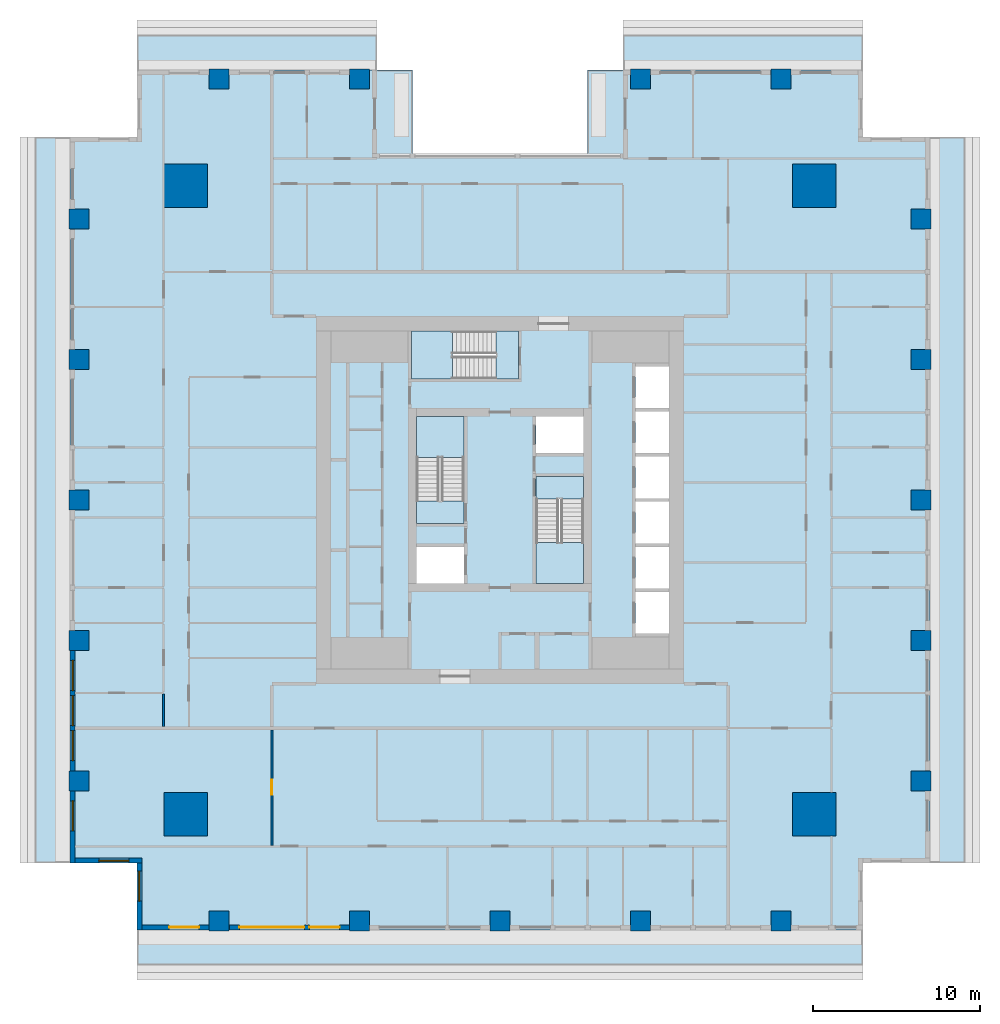
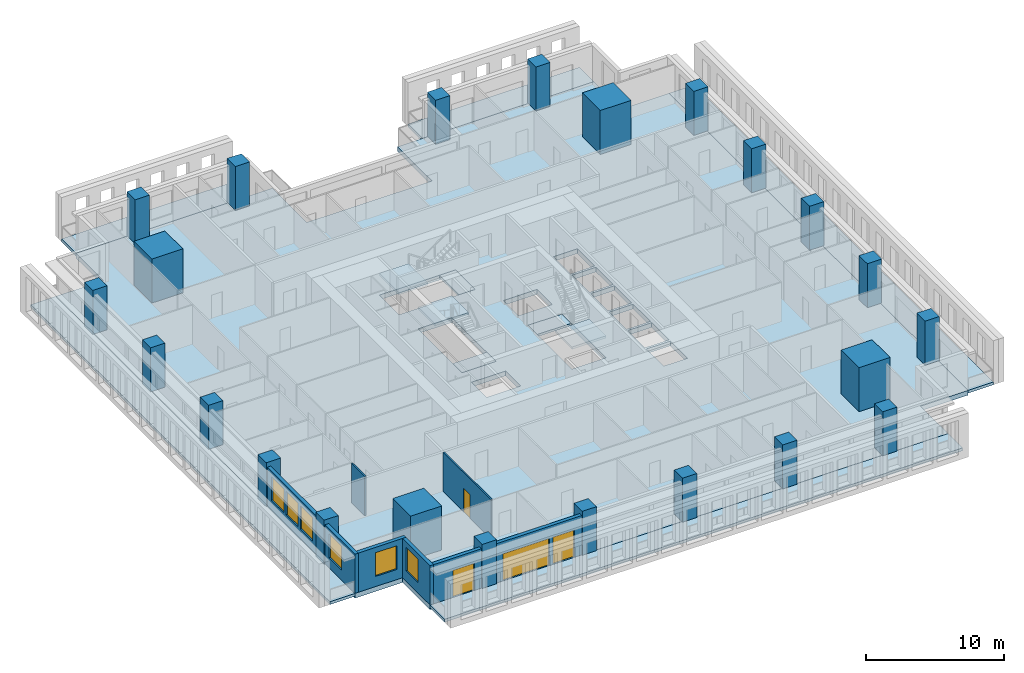
# One storey, part 1 of 16: 23 columns, 12 slabs, 8 walls, 6 windows, 4 doors, 10 openings, 3 elements without a shape of their own.
"""IFC4 building model written with IfcOpenShell, lengths in metres."""

import ifcopenshell
import ifcopenshell.guid

model = None  # the IFC model being written
_history = None  # IfcOwnerHistory: only IFC2X3 demands one
_inside = {}  # id of a spatial element -> (the spatial element, [elements in it])
_under = {}  # id of a project, library or spatial element -> (it, [spatial elements below it])
_declared = {}  # id of a project -> (the project, [libraries it declares])
_typed = {}  # id of a type object -> (the type object, [elements of that type])
_made_of = {}  # id of a material, layer set ... -> (it, [elements and type objects made of it])


def new_model(schema):
    """Start an empty IFC model of exactly this schema.

    Asked for "IFC4X3", IfcOpenShell would pick the latest addendum, in which some entities
    have other attributes; the version numbers below select the first issue.
    IFC2X3 requires an IfcOwnerHistory on every rooted entity: one is made here for all.
    """
    global model, _history
    if schema == "IFC4X3":
        model = ifcopenshell.file(schema_version=(4, 3, 0, 0))
    else:
        model = ifcopenshell.file(schema=schema)
    _inside.clear()
    _under.clear()
    _declared.clear()
    _typed.clear()
    _made_of.clear()
    _history = None
    if model.schema == "IFC2X3":
        org = make("IfcOrganization", Name="unknown")
        user = make(
            "IfcPersonAndOrganization",
            ThePerson=make("IfcPerson", FamilyName="unknown"),
            TheOrganization=org,
        )
        app = make(
            "IfcApplication",
            ApplicationDeveloper=org,
            Version="unknown",
            ApplicationFullName="unknown",
            ApplicationIdentifier="unknown",
        )
        _history = make(
            "IfcOwnerHistory",
            OwningUser=user,
            OwningApplication=app,
            ChangeAction="ADDED",
            CreationDate=0,
        )
    return model


def make(cls, **values):
    """One entity of the class cls with the attributes given. An attribute that is None is left unset."""
    return model.create_entity(
        cls, **{name: value for name, value in values.items() if value is not None}
    )


def rooted(cls, **values):
    """An entity with a GlobalId (a new one), such as an element, a storey or a relation."""
    return make(cls, GlobalId=ifcopenshell.guid.new(), OwnerHistory=_history, **values)


def si_unit(unit_type, name, prefix=None):
    """IfcSIUnit, for example si_unit("LENGTHUNIT", "METRE", prefix="MILLI")."""
    return make("IfcSIUnit", UnitType=unit_type, Prefix=prefix, Name=name)


def assignment(units):
    """IfcUnitAssignment: the units of a project."""
    return None if units is None else make("IfcUnitAssignment", Units=units)


def point(xyz):
    """IfcCartesianPoint."""
    return None if xyz is None else make("IfcCartesianPoint", Coordinates=xyz)


def direction(xyz):
    """IfcDirection."""
    return None if xyz is None else make("IfcDirection", DirectionRatios=xyz)


def frame(location, z_axis=None, x_axis=None):
    """IfcAxis2Placement3D, a coordinate frame: its origin and axes. An axis left out is left unset."""
    return make(
        "IfcAxis2Placement3D",
        Location=point(location),
        Axis=direction(z_axis),
        RefDirection=direction(x_axis),
    )


def frame_2d(location, x_axis=None):
    """IfcAxis2Placement2D, a coordinate frame in the plane: its origin and x axis."""
    return make(
        "IfcAxis2Placement2D", Location=point(location), RefDirection=direction(x_axis)
    )


def origin():
    """The frame at (0, 0, 0) with its axes left unset."""
    return frame((0.0, 0.0, 0.0))


def origin_2d():
    """The frame at (0, 0) in the plane with its x axis left unset."""
    return frame_2d((0.0, 0.0))


def place(relative_to, where):
    """IfcLocalPlacement: puts the frame where relative to a parent placement (None: the world)."""
    return make(
        "IfcLocalPlacement", PlacementRelTo=relative_to, RelativePlacement=where
    )


def context(
    kind, dimensions, precision=None, world=None, true_north=None, identifier=None
):
    """IfcGeometricRepresentationContext, for example the 3D "Model" context."""
    return make(
        "IfcGeometricRepresentationContext",
        ContextIdentifier=identifier,
        ContextType=kind,
        CoordinateSpaceDimension=dimensions,
        Precision=precision,
        WorldCoordinateSystem=world,
        TrueNorth=true_north,
    )


def subcontext(parent, identifier, kind, view, scale=None):
    """IfcGeometricRepresentationSubContext, for example "Body" below "Model"."""
    return make(
        "IfcGeometricRepresentationSubContext",
        ContextIdentifier=identifier,
        ContextType=kind,
        ParentContext=parent,
        TargetScale=scale,
        TargetView=view,
    )


def project(units=None, contexts=None):
    """IfcProject with its units and contexts."""
    return rooted(
        "IfcProject",
        Name="project",
        RepresentationContexts=contexts,
        UnitsInContext=assignment(units),
    )


def spatial(cls, under=None, at=None, **own):
    """A site, building, storey or space (cls), placed at a placement, below another one or the project."""
    s = rooted(cls, ObjectPlacement=at, **own)
    if under is not None:
        _under.setdefault(under.id(), (under, []))[1].append(s)
    return s


def polyline(points):
    """IfcPolyline through the points."""
    return make("IfcPolyline", Points=[point(p) for p in points])


def profile(cls, at=None, kind="AREA", **sizes):
    """A parametric profile (cls). Its sizes go by their IFC names, for example OverallWidth=200.0."""
    return make(cls, ProfileType=kind, Position=at, **sizes)


def rectangle(**sizes):
    """IfcRectangleProfileDef."""
    return profile("IfcRectangleProfileDef", **sizes)


def outline(outer, holes=None, kind="AREA"):
    """IfcArbitraryClosedProfileDef: a profile drawn as a closed curve; with holes, ...WithVoids."""
    if holes is None:
        return make("IfcArbitraryClosedProfileDef", ProfileType=kind, OuterCurve=outer)
    return make(
        "IfcArbitraryProfileDefWithVoids",
        ProfileType=kind,
        OuterCurve=outer,
        InnerCurves=holes,
    )


def extrude(swept, where, along, depth):
    """IfcExtrudedAreaSolid: the profile swept, set in the frame where, extruded along a direction by depth."""
    return make(
        "IfcExtrudedAreaSolid",
        SweptArea=swept,
        Position=where,
        ExtrudedDirection=direction(along),
        Depth=depth,
    )


def shape(context_of_items, identifier, shape_type, items):
    """IfcShapeRepresentation: the items that make up one representation, for example the "Body"."""
    return make(
        "IfcShapeRepresentation",
        ContextOfItems=context_of_items,
        RepresentationIdentifier=identifier,
        RepresentationType=shape_type,
        Items=items,
    )


def material(Name=None, Category=None):
    """IfcMaterial."""
    return make("IfcMaterial", Name=Name, Category=Category)


def layer(
    of_material, thickness, ventilated=None, Name=None, Category=None, Priority=None
):
    """IfcMaterialLayer: one layer of a wall or slab, of a material (None: an air gap)."""
    return make(
        "IfcMaterialLayer",
        Material=of_material,
        LayerThickness=thickness,
        IsVentilated=ventilated,
        Name=Name,
        Category=Category,
        Priority=Priority,
    )


def layer_set(layers, Name=None):
    """IfcMaterialLayerSet."""
    return make("IfcMaterialLayerSet", MaterialLayers=layers, LayerSetName=Name)


def material_profile(
    of_material, cross_section, Name=None, Category=None, Priority=None
):
    """IfcMaterialProfile: a cross section and its material."""
    return make(
        "IfcMaterialProfile",
        Name=Name,
        Material=of_material,
        Profile=cross_section,
        Priority=Priority,
        Category=Category,
    )


def profile_set(profiles, Name=None, composite=None):
    """IfcMaterialProfileSet."""
    return make(
        "IfcMaterialProfileSet",
        Name=Name,
        MaterialProfiles=profiles,
        CompositeProfile=composite,
    )


def made_of(thing, what):
    """Note that an element or type object is made of a material, layer set ...; save() writes the relation."""
    if what is not None:
        _made_of.setdefault(what.id(), (what, []))[1].append(thing)
    return thing


def type_object(cls, material=None, **own):
    """A type object (cls), such as IfcWallType, which elements share."""
    return made_of(rooted(cls, **own), material)


def element(
    cls,
    number,
    at=None,
    inside=None,
    cuts=None,
    type_object=None,
    material=None,
    context=None,
    identifier="Body",
    shape_type=None,
    held_by="IfcProductDefinitionShape",
    body=None,
    shapes=None,
    **own,
):
    """One element of the class cls, such as IfcWall. Its Tag is "e" and its number.

    at: its placement. inside: the storey or other place that contains it. cuts: it is an
    opening in that element (IfcRelVoidsElement). A single representation is given by context,
    identifier, shape_type and body (its items); several are given by shapes. held_by: the class
    of the entity that holds the representations. save() writes the other relations.
    """
    e = rooted(cls, Tag="e%d" % number, ObjectPlacement=at, **own)
    if body is not None:
        shapes = [shape(context, identifier, shape_type, body)]
    if shapes is not None:
        e.Representation = make(held_by, Representations=shapes)
    if inside is not None:
        _inside.setdefault(inside.id(), (inside, []))[1].append(e)
    if cuts is not None:
        rooted(
            "IfcRelVoidsElement", RelatingBuildingElement=cuts, RelatedOpeningElement=e
        )
    if type_object is not None:
        _typed.setdefault(type_object.id(), (type_object, []))[1].append(e)
    return made_of(e, material)


def fill(opening, filler):
    """IfcRelFillsElement: the door or window that sits in an opening."""
    return rooted(
        "IfcRelFillsElement",
        RelatingOpeningElement=opening,
        RelatedBuildingElement=filler,
    )


def aggregate(whole, parts):
    """IfcRelAggregates: a whole, such as a stair, and the parts it consists of."""
    return rooted("IfcRelAggregates", RelatingObject=whole, RelatedObjects=parts)


def save(model, path):
    """Write the relations noted so far, then the file.

    IfcRelAggregates (storeys below a building ...), IfcRelContainedInSpatialStructure (elements
    in a storey), IfcRelDefinesByType, IfcRelAssociatesMaterial and IfcRelDeclares: one each for
    every whole, place, type object, material and project.
    """
    for whole, parts in _under.values():
        aggregate(whole, parts)
    for where, things in _inside.values():
        rooted(
            "IfcRelContainedInSpatialStructure",
            RelatedElements=things,
            RelatingStructure=where,
        )
    for kind, things in _typed.values():
        rooted("IfcRelDefinesByType", RelatedObjects=things, RelatingType=kind)
    for what, things in _made_of.values():
        rooted("IfcRelAssociatesMaterial", RelatedObjects=things, RelatingMaterial=what)
    for by, libraries in _declared.values():
        rooted("IfcRelDeclares", RelatingContext=by, RelatedDefinitions=libraries)
    model.write(path)


model = new_model("IFC4")

# Units and contexts
model_context = context("Model", 3, precision=1e-05, world=origin(), true_north=direction((0.0, 1.0)))
body_context = subcontext(model_context, "Body", "Model", "MODEL_VIEW")
ifc_project = project(units=[si_unit("LENGTHUNIT", "METRE"), si_unit("AREAUNIT", "SQUARE_METRE"), si_unit("VOLUMEUNIT", "CUBIC_METRE"), si_unit("PLANEANGLEUNIT", "RADIAN"), si_unit("MASSUNIT", "GRAM", prefix="KILO")], contexts=[model_context])

# Site, building, storey
site_placement = place(None, origin())
site = spatial("IfcSite", under=ifc_project, at=site_placement, CompositionType="ELEMENT")
building_placement = place(site_placement, origin())
building = spatial("IfcBuilding", under=site, at=building_placement, Name="Khepri Terraces", CompositionType="ELEMENT")
storey_placement = place(building_placement, frame((0.0, 0.0, 149.39990234375)))
storey = spatial("IfcBuildingStorey", under=building, at=storey_placement, Name="L35", CompositionType="ELEMENT", Elevation=149.39990234375)

# Columns
ifc_material_1 = material(Name="Concrete C60/75", Category="concrete")
ifc_material_profile_1 = material_profile(ifc_material_1, rectangle(XDim=2.60009765625, YDim=2.60009765625, at=origin_2d()), Name="Concrete C60/75", Category="concrete")
ifc_profile_set_1 = profile_set([ifc_material_profile_1], Name="Concrete C60/75")
column_type_1 = type_object("IfcColumnType", Name="Mega column RC 2600x2600 C60/75", PredefinedType="COLUMN", material=ifc_profile_set_1)
for number, where, z_axis, x_axis, name in (
    (1, (18.800048828125, 18.800048828125, 0.0), (0.0, 0.0, 1.0), (1.0, 0.0, 0.0), "Mega column MEN L35"),
    (2, (18.800048828125, -18.800048828125, 0.0), (0.0, 0.0, 1.0), (1.0, 0.0, 0.0), "Mega column MES L35"),
    (3, (-18.800048828125, 18.800048828125, 0.0), (0.0, 0.0, 1.0), (1.0, 0.0, 0.0), "Mega column MWN L35"),
    (4, (-18.800048828125, -18.800048828125, 0.0), (0.0, 0.0, 1.0), (1.0, 0.0, 0.0), "Mega column MWS L35"),
):
    element("IfcColumn", number, at=place(storey_placement, frame(where, z_axis=z_axis, x_axis=x_axis)), inside=storey, type_object=column_type_1, Name=name, PredefinedType="COLUMN", context=body_context, shape_type="SweptSolid", body=[
        extrude(rectangle(XDim=2.60009765625, YDim=2.60009765625, at=origin_2d()), origin(), (0.0, 0.0, 1.0), 3.900146484375),
    ])
ifc_material_profile_2 = material_profile(ifc_material_1, rectangle(XDim=1.199951171875, YDim=1.199951171875, at=origin_2d()), Name="Concrete C60/75", Category="concrete")
ifc_profile_set_2 = profile_set([ifc_material_profile_2], Name="Concrete C60/75")
column_type_2 = type_object("IfcColumnType", Name="Tower column RC 1200x1200 C60/75", PredefinedType="COLUMN", material=ifc_profile_set_2)
for number, where, z_axis, x_axis, name in (
    (5, (25.199951171875, 0.0, 0.0), (0.0, 0.0, 1.0), (1.0, 0.0, 0.0), "Perimeter column PE+000a L35"),
    (6, (25.199951171875, 8.39990234375, 0.0), (0.0, 0.0, 1.0), (1.0, 0.0, 0.0), "Perimeter column PE+084a L35"),
    (7, (25.199951171875, 16.800048828125, 0.0), (0.0, 0.0, 1.0), (1.0, 0.0, 0.0), "Perimeter column PE+168a L35"),
    (8, (25.199951171875, -8.39990234375, 0.0), (0.0, 0.0, 1.0), (1.0, 0.0, 0.0), "Perimeter column PE-084a L35"),
    (9, (25.199951171875, -16.800048828125, 0.0), (0.0, 0.0, 1.0), (1.0, 0.0, 0.0), "Perimeter column PE-168a L35"),
    (10, (-8.39990234375, 25.199951171875, 0.0), (0.0, 0.0, 1.0), (1.0, 0.0, 0.0), "Perimeter column PN+084a L35"),
    (11, (-16.800048828125, 25.199951171875, 0.0), (0.0, 0.0, 1.0), (1.0, 0.0, 0.0), "Perimeter column PN+168a L35"),
    (12, (8.39990234375, 25.199951171875, 0.0), (0.0, 0.0, 1.0), (1.0, 0.0, 0.0), "Perimeter column PN-084a L35"),
    (13, (16.800048828125, 25.199951171875, 0.0), (0.0, 0.0, 1.0), (1.0, 0.0, 0.0), "Perimeter column PN-168a L35"),
    (14, (0.0, -25.199951171875, 0.0), (0.0, 0.0, 1.0), (1.0, 0.0, 0.0), "Perimeter column PS+000b L35"),
    (15, (8.39990234375, -25.199951171875, 0.0), (0.0, 0.0, 1.0), (1.0, 0.0, 0.0), "Perimeter column PS+084b L35"),
    (16, (16.800048828125, -25.199951171875, 0.0), (0.0, 0.0, 1.0), (1.0, 0.0, 0.0), "Perimeter column PS+168a L35"),
    (17, (-8.39990234375, -25.199951171875, 0.0), (0.0, 0.0, 1.0), (1.0, 0.0, 0.0), "Perimeter column PS-084b L35"),
    (18, (-16.800048828125, -25.199951171875, 0.0), (0.0, 0.0, 1.0), (1.0, 0.0, 0.0), "Perimeter column PS-168a L35"),
    (19, (-25.199951171875, 0.0, 0.0), (0.0, 0.0, 1.0), (1.0, 0.0, 0.0), "Perimeter column PW+000b L35"),
    (20, (-25.199951171875, -8.39990234375, 0.0), (0.0, 0.0, 1.0), (1.0, 0.0, 0.0), "Perimeter column PW+084b L35"),
    (21, (-25.199951171875, -16.800048828125, 0.0), (0.0, 0.0, 1.0), (1.0, 0.0, 0.0), "Perimeter column PW+168a L35"),
    (22, (-25.199951171875, 8.39990234375, 0.0), (0.0, 0.0, 1.0), (1.0, 0.0, 0.0), "Perimeter column PW-084b L35"),
    (23, (-25.199951171875, 16.800048828125, 0.0), (0.0, 0.0, 1.0), (1.0, 0.0, 0.0), "Perimeter column PW-168a L35"),
):
    element("IfcColumn", number, at=place(storey_placement, frame(where, z_axis=z_axis, x_axis=x_axis)), inside=storey, type_object=column_type_2, Name=name, PredefinedType="COLUMN", context=body_context, shape_type="SweptSolid", body=[
        extrude(rectangle(XDim=1.199951171875, YDim=1.199951171875, at=origin_2d()), origin(), (0.0, 0.0, 1.0), 3.900146484375),
    ])

# Slabs
ifc_material_2 = material(Name="Concrete C40/50", Category="concrete")
ifc_layer_1 = layer(ifc_material_2, 0.419921875, Name="Concrete C40/50", Category="concrete")
ifc_layer_set_1 = layer_set([ifc_layer_1], Name="Concrete C40/50")
slab_type_1 = type_object("IfcSlabType", Name="Flat plate 420", PredefinedType="FLOOR", material=ifc_layer_set_1)
slab_1_placement = place(storey_placement, frame((0.0, 0.0, -0.419921875)))
element("IfcSlab", 24, at=slab_1_placement, inside=storey, type_object=slab_type_1, Name="Floor slab F01 L35", PredefinedType="FLOOR", context=body_context, shape_type="SweptSolid", body=[
    extrude(outline(polyline([(5.25, 25.719970703125), (7.35009765625, 25.719970703125), (21.719970703125, 25.719970703125), (21.719970703125, 21.719970703125), (25.719970703125, 21.719970703125), (25.719970703125, -21.719970703125), (21.719970703125, -21.719970703125), (21.719970703125, -25.719970703125), (-21.719970703125, -25.719970703125), (-21.719970703125, -21.719970703125), (-25.719970703125, -21.719970703125), (-25.719970703125, 21.719970703125), (-21.719970703125, 21.719970703125), (-21.719970703125, 25.719970703125), (-7.35009765625, 25.719970703125), (-5.25, 25.719970703125), (-5.25, 20.719970703125), (5.25, 20.719970703125), (5.25, 25.719970703125)]), holes=[polyline([(2.14990234375, 2.800048828125), (5.0, 2.800048828125), (5.0, 5.0), (2.14990234375, 5.0), (2.14990234375, 2.800048828125)]), polyline([(-5.0, -2.800048828125), (-5.0, -5.0), (-2.14990234375, -5.0), (-2.14990234375, -2.800048828125), (-5.0, -2.800048828125)]), polyline([(10.10009765625, -5.5), (8.10009765625, -5.5), (8.10009765625, -8.0), (10.10009765625, -8.0), (10.10009765625, -5.5)]), polyline([(10.10009765625, -5.300048828125), (10.10009765625, -2.800048828125), (8.10009765625, -2.800048828125), (8.10009765625, -5.300048828125), (10.10009765625, -5.300048828125)]), polyline([(8.10009765625, -2.60009765625), (10.10009765625, -2.60009765625), (10.10009765625, -0.10009765625), (8.10009765625, -0.10009765625), (8.10009765625, -2.60009765625)]), polyline([(8.10009765625, 2.60009765625), (8.10009765625, 0.10009765625), (10.10009765625, 0.10009765625), (10.10009765625, 2.60009765625), (8.10009765625, 2.60009765625)]), polyline([(10.10009765625, 5.300048828125), (8.10009765625, 5.300048828125), (8.10009765625, 2.800048828125), (10.10009765625, 2.800048828125), (10.10009765625, 5.300048828125)]), polyline([(10.10009765625, 5.5), (10.10009765625, 8.0), (8.10009765625, 8.0), (8.10009765625, 5.5), (10.10009765625, 5.5)]), polyline([(-5.0, -1.39990234375), (-2.14990234375, -1.39990234375), (-2.14990234375, 5.0), (-5.0, 5.0), (-5.0, -1.39990234375)]), polyline([(5.0, -5.0), (5.0, 1.39990234375), (2.14990234375, 1.39990234375), (2.14990234375, -5.0), (5.0, -5.0)]), polyline([(-5.300048828125, 10.10009765625), (-5.300048828125, 7.25), (1.10009765625, 7.25), (1.10009765625, 10.10009765625), (-5.300048828125, 10.10009765625)])]), origin(), (0.0, 0.0, 1.0), 0.419921875),
])
ifc_material_3 = material(Name="Precast concrete C50/60 warm stone", Category="masonry")
ifc_layer_2 = layer(ifc_material_3, 0.25, Name="Precast concrete C50/60 warm stone", Category="masonry")
ifc_layer_set_2 = layer_set([ifc_layer_2], Name="Precast concrete C50/60 warm stone")
slab_type_2 = type_object("IfcSlabType", Name="SLB-BALCONY-250", PredefinedType="FLOOR", material=ifc_layer_set_2)
slab_2_placement = place(storey_placement, frame((0.0, 0.0, -0.25)))
element("IfcSlab", 25, at=slab_2_placement, inside=storey, type_object=slab_type_2, Name="Balcony slab L35 S", PredefinedType="FLOOR", context=body_context, shape_type="SweptSolid", body=[
    extrude(outline(polyline([(-17.39990234375, -25.719970703125), (-21.719970703125, -25.719970703125), (-21.719970703125, -27.820068359375), (21.719970703125, -27.820068359375), (21.719970703125, -25.719970703125), (17.39990234375, -25.719970703125), (17.39990234375, -25.800048828125), (16.199951171875, -25.800048828125), (16.199951171875, -25.719970703125), (9.0, -25.719970703125), (9.0, -25.800048828125), (7.800048828125, -25.800048828125), (7.800048828125, -25.719970703125), (0.60009765625, -25.719970703125), (0.60009765625, -25.800048828125), (-0.60009765625, -25.800048828125), (-0.60009765625, -25.719970703125), (-7.800048828125, -25.719970703125), (-7.800048828125, -25.800048828125), (-9.0, -25.800048828125), (-9.0, -25.719970703125), (-16.199951171875, -25.719970703125), (-16.199951171875, -25.800048828125), (-17.39990234375, -25.800048828125), (-17.39990234375, -25.719970703125)])), origin(), (0.0, 0.0, 1.0), 0.25),
])
slab_3_placement = place(storey_placement, frame((0.0, 0.0, -0.25)))
element("IfcSlab", 26, at=slab_3_placement, inside=storey, type_object=slab_type_2, Name="Balcony slab L35 E", PredefinedType="FLOOR", context=body_context, shape_type="SweptSolid", body=[
    extrude(outline(polyline([(25.719970703125, -17.39990234375), (25.719970703125, -21.719970703125), (27.820068359375, -21.719970703125), (27.820068359375, 21.719970703125), (25.719970703125, 21.719970703125), (25.719970703125, 17.39990234375), (25.800048828125, 17.39990234375), (25.800048828125, 16.199951171875), (25.719970703125, 16.199951171875), (25.719970703125, 9.0), (25.800048828125, 9.0), (25.800048828125, 7.800048828125), (25.719970703125, 7.800048828125), (25.719970703125, 0.60009765625), (25.800048828125, 0.60009765625), (25.800048828125, -0.60009765625), (25.719970703125, -0.60009765625), (25.719970703125, -7.800048828125), (25.800048828125, -7.800048828125), (25.800048828125, -9.0), (25.719970703125, -9.0), (25.719970703125, -16.199951171875), (25.800048828125, -16.199951171875), (25.800048828125, -17.39990234375), (25.719970703125, -17.39990234375)])), origin(), (0.0, 0.0, 1.0), 0.25),
])
slab_4_placement = place(storey_placement, frame((0.0, 0.0, -0.25)))
element("IfcSlab", 27, at=slab_4_placement, inside=storey, type_object=slab_type_2, Name="Balcony slab L35 N", PredefinedType="FLOOR", context=body_context, shape_type="SweptSolid", body=[
    extrude(outline(polyline([(17.39990234375, 25.719970703125), (21.719970703125, 25.719970703125), (21.719970703125, 27.820068359375), (7.35009765625, 27.820068359375), (7.35009765625, 25.719970703125), (7.800048828125, 25.719970703125), (7.800048828125, 25.800048828125), (9.0, 25.800048828125), (9.0, 25.719970703125), (16.199951171875, 25.719970703125), (16.199951171875, 25.800048828125), (17.39990234375, 25.800048828125), (17.39990234375, 25.719970703125)])), origin(), (0.0, 0.0, 1.0), 0.25),
])
slab_5_placement = place(storey_placement, frame((0.0, 0.0, -0.25)))
element("IfcSlab", 28, at=slab_5_placement, inside=storey, type_object=slab_type_2, Name="Balcony slab L35 N", PredefinedType="FLOOR", context=body_context, shape_type="SweptSolid", body=[
    extrude(outline(polyline([(-7.800048828125, 25.719970703125), (-7.35009765625, 25.719970703125), (-7.35009765625, 27.820068359375), (-21.719970703125, 27.820068359375), (-21.719970703125, 25.719970703125), (-17.39990234375, 25.719970703125), (-17.39990234375, 25.800048828125), (-16.199951171875, 25.800048828125), (-16.199951171875, 25.719970703125), (-9.0, 25.719970703125), (-9.0, 25.800048828125), (-7.800048828125, 25.800048828125), (-7.800048828125, 25.719970703125)])), origin(), (0.0, 0.0, 1.0), 0.25),
])
slab_6_placement = place(storey_placement, frame((0.0, 0.0, -0.25)))
element("IfcSlab", 29, at=slab_6_placement, inside=storey, type_object=slab_type_2, Name="Balcony slab L35 W", PredefinedType="FLOOR", context=body_context, shape_type="SweptSolid", body=[
    extrude(outline(polyline([(-25.719970703125, 17.39990234375), (-25.719970703125, 21.719970703125), (-27.820068359375, 21.719970703125), (-27.820068359375, -21.719970703125), (-25.719970703125, -21.719970703125), (-25.719970703125, -17.39990234375), (-25.800048828125, -17.39990234375), (-25.800048828125, -16.199951171875), (-25.719970703125, -16.199951171875), (-25.719970703125, -9.0), (-25.800048828125, -9.0), (-25.800048828125, -7.800048828125), (-25.719970703125, -7.800048828125), (-25.719970703125, -0.60009765625), (-25.800048828125, -0.60009765625), (-25.800048828125, 0.60009765625), (-25.719970703125, 0.60009765625), (-25.719970703125, 7.800048828125), (-25.800048828125, 7.800048828125), (-25.800048828125, 9.0), (-25.719970703125, 9.0), (-25.719970703125, 16.199951171875), (-25.800048828125, 16.199951171875), (-25.800048828125, 17.39990234375), (-25.719970703125, 17.39990234375)])), origin(), (0.0, 0.0, 1.0), 0.25),
])

# Stair, slabs
stair_type = type_object("IfcStairType", Name="STAIR-RC-22R", PredefinedType="HALF_TURN_STAIR", material=ifc_material_2)
stair_1_placement = place(storey_placement, origin())
stair_1 = element("IfcStair", 30, at=stair_1_placement, inside=storey, type_object=stair_type, Name="L35 Exit Stair ST-1", PredefinedType="HALF_TURN_STAIR")
ifc_layer_3 = layer(ifc_material_2, 0.199951171875, Name="Concrete C40/50", Category="concrete")
ifc_layer_set_3 = layer_set([ifc_layer_3], Name="Concrete C40/50")
slab_type_3 = type_object("IfcSlabType", Name="SLB-CORE-LANDING", PredefinedType="LANDING", material=ifc_layer_set_3)
slab_7_placement = place(storey_placement, frame((0.0, 0.0, -0.199951171875)))
slab_7 = element("IfcSlab", 31, at=slab_7_placement, type_object=slab_type_3, Name="ST-1 landing 1", PredefinedType="LANDING", context=body_context, shape_type="SweptSolid", body=[
    extrude(outline(polyline([(-2.14990234375, -1.39990234375), (-2.14990234375, -0.050048828125), (-5.0, -0.050048828125), (-5.0, -1.39990234375), (-2.14990234375, -1.39990234375)])), origin(), (0.0, 0.0, 1.0), 0.199951171875),
])
slab_8_placement = place(storey_placement, frame((0.0, 0.0, 1.75)))
slab_8 = element("IfcSlab", 32, at=slab_8_placement, type_object=slab_type_3, Name="ST-1 landing 2", PredefinedType="LANDING", context=body_context, shape_type="SweptSolid", body=[
    extrude(outline(polyline([(-2.14990234375, 2.550048828125), (-2.14990234375, 5.0), (-5.0, 5.0), (-5.0, 2.550048828125), (-2.14990234375, 2.550048828125)])), origin(), (0.0, 0.0, 1.0), 0.2001953125),
])
aggregate(stair_1, [slab_7, slab_8])

stair_2_placement = place(storey_placement, origin())
stair_2 = element("IfcStair", 33, at=stair_2_placement, inside=storey, type_object=stair_type, Name="L35 Exit Stair ST-2", PredefinedType="HALF_TURN_STAIR")
slab_9_placement = place(storey_placement, frame((0.0, 0.0, -0.199951171875)))
slab_9 = element("IfcSlab", 34, at=slab_9_placement, type_object=slab_type_3, Name="ST-2 landing 1", PredefinedType="LANDING", context=body_context, shape_type="SweptSolid", body=[
    extrude(outline(polyline([(2.14990234375, 1.39990234375), (2.14990234375, 0.050048828125), (5.0, 0.050048828125), (5.0, 1.39990234375), (2.14990234375, 1.39990234375)])), origin(), (0.0, 0.0, 1.0), 0.199951171875),
])
slab_10_placement = place(storey_placement, frame((0.0, 0.0, 1.75)))
slab_10 = element("IfcSlab", 35, at=slab_10_placement, type_object=slab_type_3, Name="ST-2 landing 2", PredefinedType="LANDING", context=body_context, shape_type="SweptSolid", body=[
    extrude(outline(polyline([(2.14990234375, -2.550048828125), (2.14990234375, -5.0), (5.0, -5.0), (5.0, -2.550048828125), (2.14990234375, -2.550048828125)])), origin(), (0.0, 0.0, 1.0), 0.2001953125),
])
aggregate(stair_2, [slab_9, slab_10])

stair_3_placement = place(storey_placement, origin())
stair_3 = element("IfcStair", 36, at=stair_3_placement, inside=storey, type_object=stair_type, Name="L35 Exit Stair ST-3", PredefinedType="HALF_TURN_STAIR")
slab_11_placement = place(storey_placement, frame((0.0, 0.0, -0.199951171875)))
slab_11 = element("IfcSlab", 37, at=slab_11_placement, type_object=slab_type_3, Name="ST-3 landing 1", PredefinedType="LANDING", context=body_context, shape_type="SweptSolid", body=[
    extrude(outline(polyline([(1.10009765625, 10.10009765625), (-0.25, 10.10009765625), (-0.25, 7.25), (1.10009765625, 7.25), (1.10009765625, 10.10009765625)])), origin(), (0.0, 0.0, 1.0), 0.199951171875),
])
slab_12_placement = place(storey_placement, frame((0.0, 0.0, 1.75)))
slab_12 = element("IfcSlab", 38, at=slab_12_placement, type_object=slab_type_3, Name="ST-3 landing 2", PredefinedType="LANDING", context=body_context, shape_type="SweptSolid", body=[
    extrude(outline(polyline([(-2.85009765625, 10.10009765625), (-5.300048828125, 10.10009765625), (-5.300048828125, 7.25), (-2.85009765625, 7.25), (-2.85009765625, 10.10009765625)])), origin(), (0.0, 0.0, 1.0), 0.2001953125),
])
aggregate(stair_3, [slab_11, slab_12])

# Wall, openings, windows
ifc_layer_4 = layer(ifc_material_3, 0.300048828125, Name="Precast concrete C50/60 warm stone", Category="masonry")
ifc_layer_set_4 = layer_set([ifc_layer_4], Name="Precast concrete C50/60 warm stone")
wall_type_1 = type_object("IfcWallType", Name="WL-EXT-PRECAST-300", PredefinedType="STANDARD", material=ifc_layer_set_4)
wall_1_placement = place(storey_placement, frame((-25.570068359375, -9.0, 0.0), z_axis=(0.0, 0.0, 1.0), x_axis=(0.0, -1.0, 0.0)))
wall_1 = element("IfcWall", 39, at=wall_1_placement, inside=storey, type_object=wall_type_1, Name="External wall L35 W", PredefinedType="STANDARD", context=body_context, shape_type="SweptSolid", body=[
    extrude(rectangle(XDim=7.199951171875, YDim=0.300048828125, at=frame_2d((3.60009765625, 0.0))), origin(), (0.0, 0.0, 1.0), 3.47998046875),
])
opening_1_placement = place(wall_1_placement, frame((0.60009765625, 0.0, 0.89990234375)))
opening_1 = element("IfcOpeningElement", 40, at=opening_1_placement, cuts=wall_1, Name="Opening W1", PredefinedType="OPENING", context=body_context, shape_type="SweptSolid", body=[
    extrude(rectangle(XDim=1.800048828125, YDim=2.10009765625, at=frame_2d((0.89990234375, 1.050048828125))), frame((0.0, 0.16015625, 0.0), z_axis=(0.0, -1.0, 0.0), x_axis=(1.0, 0.0, 0.0)), (0.0, 0.0, 1.0), 0.320068359375),
])
opening_2_placement = place(wall_1_placement, frame((2.699951171875, 0.0, 0.89990234375)))
opening_2 = element("IfcOpeningElement", 41, at=opening_2_placement, cuts=wall_1, Name="Opening W1", PredefinedType="OPENING", context=body_context, shape_type="SweptSolid", body=[
    extrude(rectangle(XDim=1.800048828125, YDim=2.10009765625, at=frame_2d((0.89990234375, 1.050048828125))), frame((0.0, 0.16015625, 0.0), z_axis=(0.0, -1.0, 0.0), x_axis=(1.0, 0.0, 0.0)), (0.0, 0.0, 1.0), 0.320068359375),
])
opening_3_placement = place(wall_1_placement, frame((4.800048828125, 0.0, 0.89990234375)))
opening_3 = element("IfcOpeningElement", 42, at=opening_3_placement, cuts=wall_1, Name="Opening W1", PredefinedType="OPENING", context=body_context, shape_type="SweptSolid", body=[
    extrude(rectangle(XDim=1.800048828125, YDim=2.10009765625, at=frame_2d((0.89990234375, 1.050048828125))), frame((0.0, 0.16015625, 0.0), z_axis=(0.0, -1.0, 0.0), x_axis=(1.0, 0.0, 0.0)), (0.0, 0.0, 1.0), 0.320068359375),
])
ifc_material_4 = material(Name="Clear glass", Category="glass")
window_type = type_object("IfcWindowType", Name="WIN-RES-1800x2100", PartitioningType="SINGLE_PANEL", PredefinedType="WINDOW", material=ifc_material_4)
window_1_placement = place(opening_1_placement, origin())
window_1 = element("IfcWindow", 43, at=window_1_placement, inside=storey, type_object=window_type, Name="Window L35 W", OverallHeight=2.10009765625, OverallWidth=1.800048828125, PartitioningType="SINGLE_PANEL", PredefinedType="WINDOW", context=body_context, shape_type="SweptSolid", body=[
    extrude(rectangle(XDim=1.800048828125, YDim=2.10009765625, at=frame_2d((0.89990234375, 1.050048828125))), frame((0.0, 0.030029296875, 0.0), z_axis=(0.0, -1.0, 0.0), x_axis=(1.0, 0.0, 0.0)), (0.0, 0.0, 1.0), 0.06005859375),
])
fill(opening_1, window_1)
window_2_placement = place(opening_2_placement, origin())
window_2 = element("IfcWindow", 44, at=window_2_placement, inside=storey, type_object=window_type, Name="Window L35 W", OverallHeight=2.10009765625, OverallWidth=1.800048828125, PartitioningType="SINGLE_PANEL", PredefinedType="WINDOW", context=body_context, shape_type="SweptSolid", body=[
    extrude(rectangle(XDim=1.800048828125, YDim=2.10009765625, at=frame_2d((0.89990234375, 1.050048828125))), frame((0.0, 0.030029296875, 0.0), z_axis=(0.0, -1.0, 0.0), x_axis=(1.0, 0.0, 0.0)), (0.0, 0.0, 1.0), 0.06005859375),
])
fill(opening_2, window_2)
window_3_placement = place(opening_3_placement, origin())
window_3 = element("IfcWindow", 45, at=window_3_placement, inside=storey, type_object=window_type, Name="Window L35 W", OverallHeight=2.10009765625, OverallWidth=1.800048828125, PartitioningType="SINGLE_PANEL", PredefinedType="WINDOW", context=body_context, shape_type="SweptSolid", body=[
    extrude(rectangle(XDim=1.800048828125, YDim=2.10009765625, at=frame_2d((0.89990234375, 1.050048828125))), frame((0.0, 0.030029296875, 0.0), z_axis=(0.0, -1.0, 0.0), x_axis=(1.0, 0.0, 0.0)), (0.0, 0.0, 1.0), 0.06005859375),
])
fill(opening_3, window_3)

# Wall, opening, window
wall_2_placement = place(storey_placement, frame((-25.570068359375, -17.39990234375, 0.0), z_axis=(0.0, 0.0, 1.0), x_axis=(0.0, -1.0, 0.0)))
wall_2 = element("IfcWall", 46, at=wall_2_placement, inside=storey, type_object=wall_type_1, Name="External wall L35 W", PredefinedType="STANDARD", context=body_context, shape_type="SweptSolid", body=[
    extrude(rectangle(XDim=4.320068359375, YDim=0.300048828125, at=frame_2d((2.16015625, 0.0))), origin(), (0.0, 0.0, 1.0), 3.47998046875),
])
opening_4_placement = place(wall_2_placement, frame((0.60009765625, 0.0, 0.89990234375)))
opening_4 = element("IfcOpeningElement", 47, at=opening_4_placement, cuts=wall_2, Name="Opening W1", PredefinedType="OPENING", context=body_context, shape_type="SweptSolid", body=[
    extrude(rectangle(XDim=1.800048828125, YDim=2.10009765625, at=frame_2d((0.89990234375, 1.050048828125))), frame((0.0, 0.16015625, 0.0), z_axis=(0.0, -1.0, 0.0), x_axis=(1.0, 0.0, 0.0)), (0.0, 0.0, 1.0), 0.320068359375),
])
window_4_placement = place(opening_4_placement, origin())
window_4 = element("IfcWindow", 48, at=window_4_placement, inside=storey, type_object=window_type, Name="Window L35 W", OverallHeight=2.10009765625, OverallWidth=1.800048828125, PartitioningType="SINGLE_PANEL", PredefinedType="WINDOW", context=body_context, shape_type="SweptSolid", body=[
    extrude(rectangle(XDim=1.800048828125, YDim=2.10009765625, at=frame_2d((0.89990234375, 1.050048828125))), frame((0.0, 0.030029296875, 0.0), z_axis=(0.0, -1.0, 0.0), x_axis=(1.0, 0.0, 0.0)), (0.0, 0.0, 1.0), 0.06005859375),
])
fill(opening_4, window_4)

wall_3_placement = place(storey_placement, frame((-25.419921875, -21.570068359375, 0.0), z_axis=(0.0, 0.0, 1.0), x_axis=(1.0, 0.0, 0.0)))
wall_3 = element("IfcWall", 49, at=wall_3_placement, inside=storey, type_object=wall_type_1, Name="External wall L35 S", PredefinedType="STANDARD", context=body_context, shape_type="SweptSolid", body=[
    extrude(rectangle(XDim=4.0, YDim=0.300048828125, at=frame_2d((2.0, 0.0))), origin(), (0.0, 0.0, 1.0), 3.47998046875),
])
opening_5_placement = place(wall_3_placement, frame((1.419921875, 0.0, 0.89990234375)))
opening_5 = element("IfcOpeningElement", 50, at=opening_5_placement, cuts=wall_3, Name="Opening W1", PredefinedType="OPENING", context=body_context, shape_type="SweptSolid", body=[
    extrude(rectangle(XDim=1.800048828125, YDim=2.10009765625, at=frame_2d((0.89990234375, 1.050048828125))), frame((0.0, 0.16015625, 0.0), z_axis=(0.0, -1.0, 0.0), x_axis=(1.0, 0.0, 0.0)), (0.0, 0.0, 1.0), 0.320068359375),
])
window_5_placement = place(opening_5_placement, origin())
window_5 = element("IfcWindow", 51, at=window_5_placement, inside=storey, type_object=window_type, Name="Window L35 S", OverallHeight=2.10009765625, OverallWidth=1.800048828125, PartitioningType="SINGLE_PANEL", PredefinedType="WINDOW", context=body_context, shape_type="SweptSolid", body=[
    extrude(rectangle(XDim=1.800048828125, YDim=2.10009765625, at=frame_2d((0.89990234375, 1.050048828125))), frame((0.0, 0.030029296875, 0.0), z_axis=(0.0, -1.0, 0.0), x_axis=(1.0, 0.0, 0.0)), (0.0, 0.0, 1.0), 0.06005859375),
])
fill(opening_5, window_5)

wall_4_placement = place(storey_placement, frame((-21.570068359375, -21.719970703125, 0.0), z_axis=(0.0, 0.0, 1.0), x_axis=(0.0, -1.0, 0.0)))
wall_4 = element("IfcWall", 52, at=wall_4_placement, inside=storey, type_object=wall_type_1, Name="External wall L35 W", PredefinedType="STANDARD", context=body_context, shape_type="SweptSolid", body=[
    extrude(rectangle(XDim=4.0, YDim=0.300048828125, at=frame_2d((2.0, 0.0))), origin(), (0.0, 0.0, 1.0), 3.47998046875),
])
opening_6_placement = place(wall_4_placement, frame((0.47998046875, 0.0, 0.89990234375)))
opening_6 = element("IfcOpeningElement", 53, at=opening_6_placement, cuts=wall_4, Name="Opening W1", PredefinedType="OPENING", context=body_context, shape_type="SweptSolid", body=[
    extrude(rectangle(XDim=1.800048828125, YDim=2.10009765625, at=frame_2d((0.89990234375, 1.050048828125))), frame((0.0, 0.16015625, 0.0), z_axis=(0.0, -1.0, 0.0), x_axis=(1.0, 0.0, 0.0)), (0.0, 0.0, 1.0), 0.320068359375),
])
window_6_placement = place(opening_6_placement, origin())
window_6 = element("IfcWindow", 54, at=window_6_placement, inside=storey, type_object=window_type, Name="Window L35 W", OverallHeight=2.10009765625, OverallWidth=1.800048828125, PartitioningType="SINGLE_PANEL", PredefinedType="WINDOW", context=body_context, shape_type="SweptSolid", body=[
    extrude(rectangle(XDim=1.800048828125, YDim=2.10009765625, at=frame_2d((0.89990234375, 1.050048828125))), frame((0.0, 0.030029296875, 0.0), z_axis=(0.0, -1.0, 0.0), x_axis=(1.0, 0.0, 0.0)), (0.0, 0.0, 1.0), 0.06005859375),
])
fill(opening_6, window_6)

# Wall, opening, door
wall_5_placement = place(storey_placement, frame((-21.419921875, -25.570068359375, 0.0), z_axis=(0.0, 0.0, 1.0), x_axis=(1.0, 0.0, 0.0)))
wall_5 = element("IfcWall", 55, at=wall_5_placement, inside=storey, type_object=wall_type_1, Name="External wall L35 S", PredefinedType="STANDARD", context=body_context, shape_type="SweptSolid", body=[
    extrude(rectangle(XDim=4.02001953125, YDim=0.300048828125, at=frame_2d((2.010009765625, 0.0))), origin(), (0.0, 0.0, 1.0), 3.47998046875),
])
opening_7_placement = place(wall_5_placement, frame((1.6201171875, 0.0, 0.0)))
opening_7 = element("IfcOpeningElement", 56, at=opening_7_placement, cuts=wall_5, Name="Opening ED-L35-15", PredefinedType="OPENING", context=body_context, shape_type="SweptSolid", body=[
    extrude(rectangle(XDim=1.800048828125, YDim=2.39990234375, at=frame_2d((0.89990234375, 1.199951171875))), frame((0.0, 0.16015625, 0.0), z_axis=(0.0, -1.0, 0.0), x_axis=(1.0, 0.0, 0.0)), (0.0, 0.0, 1.0), 0.320068359375),
])
ifc_material_5 = material(Name="Anodised aluminium bronze glazed door", Category="aluminium")
door_type_1 = type_object("IfcDoorType", Name="DR-BAL-SLIDE-1800x2400", OperationType="NOTDEFINED", PredefinedType="DOOR", material=ifc_material_5)
door_1_placement = place(opening_7_placement, origin())
door_1 = element("IfcDoor", 57, at=door_1_placement, inside=storey, type_object=door_type_1, Name="Balcony door L35 S", OperationType="SLIDING_TO_RIGHT", OverallHeight=2.39990234375, OverallWidth=1.800048828125, PredefinedType="DOOR", context=body_context, shape_type="SweptSolid", body=[
    extrude(rectangle(XDim=1.800048828125, YDim=2.39990234375, at=frame_2d((0.89990234375, 1.199951171875))), frame((0.0, 0.02490234375, 0.0), z_axis=(0.0, -1.0, 0.0), x_axis=(1.0, 0.0, 0.0)), (0.0, 0.0, 1.0), 0.050048828125),
])
fill(opening_7, door_1)

# Wall, openings, doors
wall_6_placement = place(storey_placement, frame((-16.199951171875, -25.570068359375, 0.0), z_axis=(0.0, 0.0, 1.0), x_axis=(1.0, 0.0, 0.0)))
wall_6 = element("IfcWall", 58, at=wall_6_placement, inside=storey, type_object=wall_type_1, Name="External wall L35 S", PredefinedType="STANDARD", context=body_context, shape_type="SweptSolid", body=[
    extrude(rectangle(XDim=7.199951171875, YDim=0.300048828125, at=frame_2d((3.60009765625, 0.0))), origin(), (0.0, 0.0, 1.0), 3.47998046875),
])
opening_8_placement = place(wall_6_placement, frame((0.60009765625, 0.0, 0.0)))
opening_8 = element("IfcOpeningElement", 59, at=opening_8_placement, cuts=wall_6, Name="Opening ED-L35-16", PredefinedType="OPENING", context=body_context, shape_type="SweptSolid", body=[
    extrude(rectangle(XDim=3.89990234375, YDim=2.39990234375, at=frame_2d((1.949951171875, 1.199951171875))), frame((0.0, 0.16015625, 0.0), z_axis=(0.0, -1.0, 0.0), x_axis=(1.0, 0.0, 0.0)), (0.0, 0.0, 1.0), 0.320068359375),
])
opening_9_placement = place(wall_6_placement, frame((4.800048828125, 0.0, 0.0)))
opening_9 = element("IfcOpeningElement", 60, at=opening_9_placement, cuts=wall_6, Name="Opening ED-L35-17", PredefinedType="OPENING", context=body_context, shape_type="SweptSolid", body=[
    extrude(rectangle(XDim=1.800048828125, YDim=2.39990234375, at=frame_2d((0.89990234375, 1.199951171875))), frame((0.0, 0.16015625, 0.0), z_axis=(0.0, -1.0, 0.0), x_axis=(1.0, 0.0, 0.0)), (0.0, 0.0, 1.0), 0.320068359375),
])
door_2_placement = place(opening_9_placement, origin())
door_2 = element("IfcDoor", 61, at=door_2_placement, inside=storey, type_object=door_type_1, Name="Balcony door L35 S", OperationType="SLIDING_TO_RIGHT", OverallHeight=2.39990234375, OverallWidth=1.800048828125, PredefinedType="DOOR", context=body_context, shape_type="SweptSolid", body=[
    extrude(rectangle(XDim=1.800048828125, YDim=2.39990234375, at=frame_2d((0.89990234375, 1.199951171875))), frame((0.0, 0.02490234375, 0.0), z_axis=(0.0, -1.0, 0.0), x_axis=(1.0, 0.0, 0.0)), (0.0, 0.0, 1.0), 0.050048828125),
])
fill(opening_9, door_2)
door_type_2 = type_object("IfcDoorType", Name="DR-BAL-SLIDE-3900x2400", OperationType="NOTDEFINED", PredefinedType="DOOR", material=ifc_material_5)
door_3_placement = place(opening_8_placement, origin())
door_3 = element("IfcDoor", 62, at=door_3_placement, inside=storey, type_object=door_type_2, Name="Balcony door L35 S", OperationType="SLIDING_TO_LEFT", OverallHeight=2.39990234375, OverallWidth=3.89990234375, PredefinedType="DOOR", context=body_context, shape_type="SweptSolid", body=[
    extrude(rectangle(XDim=3.89990234375, YDim=2.39990234375, at=frame_2d((1.949951171875, 1.199951171875))), frame((0.0, 0.02490234375, 0.0), z_axis=(0.0, -1.0, 0.0), x_axis=(1.0, 0.0, 0.0)), (0.0, 0.0, 1.0), 0.050048828125),
])
fill(opening_8, door_3)

# Wall, opening, door
ifc_material_6 = material(Name="Gypsum plasterboard partition")
ifc_layer_5 = layer(ifc_material_6, 0.1201171875, Name="Gypsum plasterboard partition")
ifc_layer_set_5 = layer_set([ifc_layer_5], Name="Gypsum plasterboard partition")
wall_type_2 = type_object("IfcWallType", Name="WL-PART-120", PredefinedType="PARTITIONING", material=ifc_layer_set_5)
wall_7_placement = place(storey_placement, frame((-13.64990234375, -20.659912109375, 0.0), z_axis=(0.0, 0.0, 1.0), x_axis=(0.0, 1.0, 0.0)))
wall_7 = element("IfcWall", 63, at=wall_7_placement, inside=storey, type_object=wall_type_2, Name="Partition P-010 L35", PredefinedType="PARTITIONING", context=body_context, shape_type="SweptSolid", body=[
    extrude(rectangle(XDim=6.909912109375, YDim=0.1201171875, at=frame_2d((3.455078125, 0.0))), origin(), (0.0, 0.0, 1.0), 3.47998046875),
])
opening_10_placement = place(wall_7_placement, frame((3.02490234375, 0.0, 0.0)))
opening_10 = element("IfcOpeningElement", 64, at=opening_10_placement, cuts=wall_7, Name="Opening D3", PredefinedType="OPENING", context=body_context, shape_type="SweptSolid", body=[
    extrude(rectangle(XDim=0.89990234375, YDim=2.10009765625, at=frame_2d((0.449951171875, 1.050048828125))), frame((0.0, 0.070068359375, 0.0), z_axis=(0.0, -1.0, 0.0), x_axis=(1.0, 0.0, 0.0)), (0.0, 0.0, 1.0), 0.14013671875),
])
ifc_material_7 = material(Name="Timber door leaf", Category="wood")
door_type_3 = type_object("IfcDoorType", Name="DR-INT-900", OperationType="NOTDEFINED", PredefinedType="DOOR", material=ifc_material_7)
door_4_placement = place(opening_10_placement, origin())
door_4 = element("IfcDoor", 65, at=door_4_placement, inside=storey, type_object=door_type_3, Name="Door Home Cinema", OperationType="SINGLE_SWING_RIGHT", OverallHeight=2.10009765625, OverallWidth=0.89990234375, PredefinedType="DOOR", context=body_context, shape_type="SweptSolid", body=[
    extrude(rectangle(XDim=0.89990234375, YDim=2.10009765625, at=frame_2d((0.449951171875, 1.050048828125))), frame((0.0, 0.02490234375, 0.0), z_axis=(0.0, -1.0, 0.0), x_axis=(1.0, 0.0, 0.0)), (0.0, 0.0, 1.0), 0.050048828125),
])
fill(opening_10, door_4)

# Wall
wall_8_placement = place(storey_placement, frame((-20.1201171875, -13.550048828125, 0.0), z_axis=(0.0, 0.0, 1.0), x_axis=(0.0, 1.0, 0.0)))
element("IfcWall", 66, at=wall_8_placement, inside=storey, type_object=wall_type_2, Name="Partition P-022 L35", PredefinedType="PARTITIONING", context=body_context, shape_type="SweptSolid", body=[
    extrude(rectangle(XDim=1.93994140625, YDim=0.1201171875, at=frame_2d((0.969970703125, 0.0))), origin(), (0.0, 0.0, 1.0), 3.47998046875),
])

save(model, "model.ifc")
